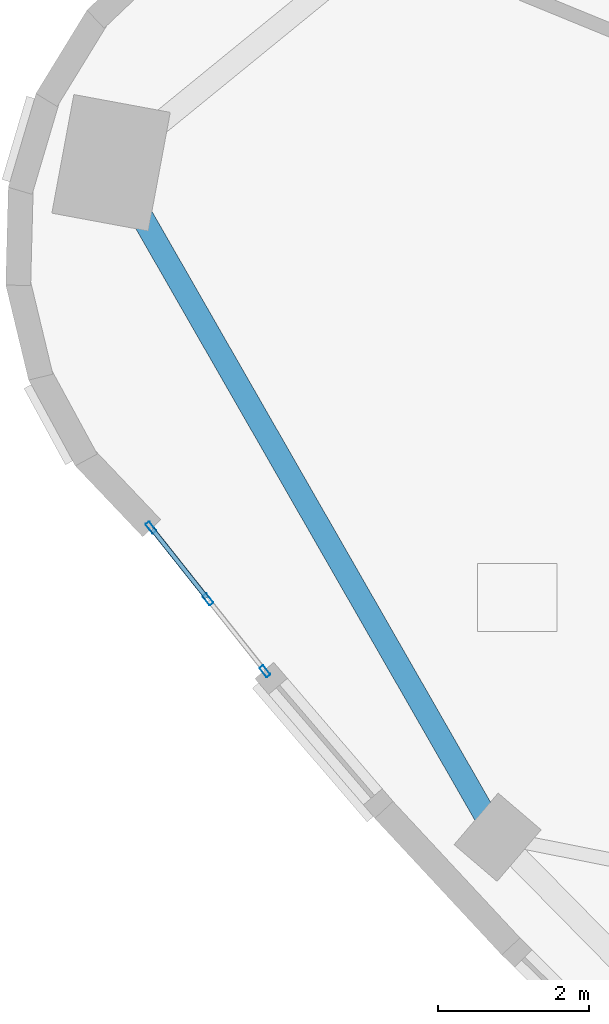
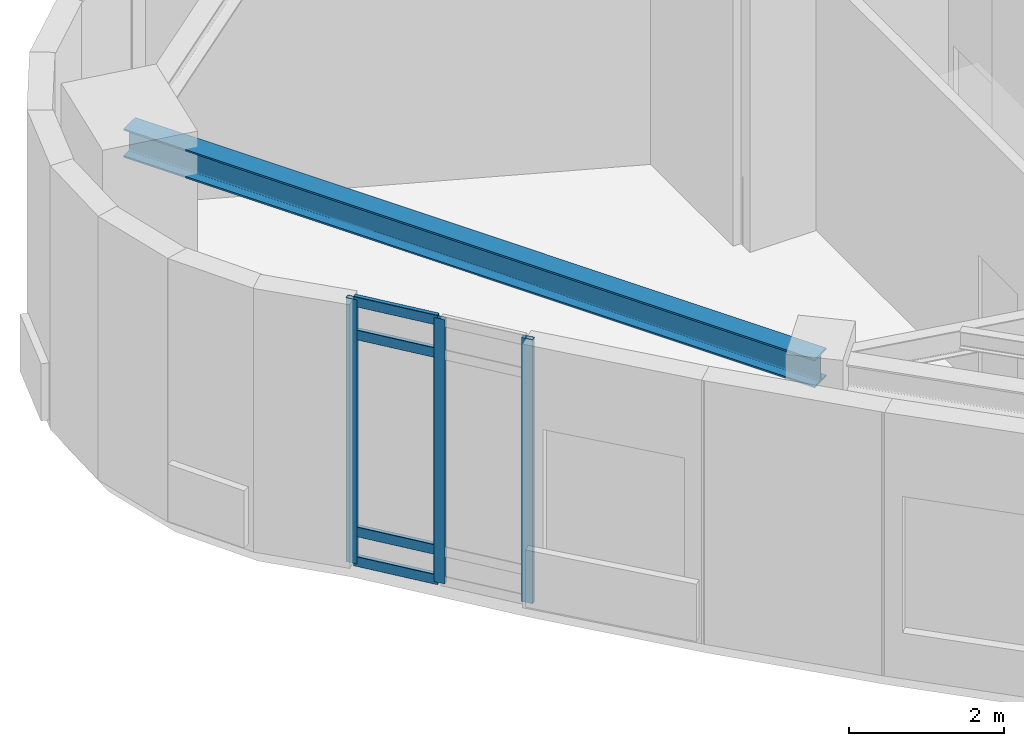
# One storey, part 4 of 13: 7 members, 1 beam, 1 element without a shape of its own.
"""IFC4 building model written with IfcOpenShell, lengths in metres."""

from ifc_helpers import new_model, si_unit, direction, frame, origin, origin_2d, place, context, subcontext, project, spatial, hollow_rectangle, i_section, extrude, material, layer, layer_set, material_profile, profile_set, type_object, element, aggregate, save


model = new_model("IFC4")

# Units and contexts
model_context = context("Model", 3, precision=1e-05, world=origin(), true_north=direction((0.0, 1.0)))
body_context = subcontext(model_context, "Body", "Model", "MODEL_VIEW")
ifc_project = project(units=[si_unit("LENGTHUNIT", "METRE"), si_unit("AREAUNIT", "SQUARE_METRE"), si_unit("VOLUMEUNIT", "CUBIC_METRE"), si_unit("PLANEANGLEUNIT", "RADIAN"), si_unit("MASSUNIT", "GRAM", prefix="KILO")], contexts=[model_context])

# Site, building, storey
site_placement = place(None, origin())
site = spatial("IfcSite", under=ifc_project, at=site_placement, CompositionType="ELEMENT")
building_placement = place(site_placement, origin())
building = spatial("IfcBuilding", under=site, at=building_placement, Name="Ndelora Gate Hotel", CompositionType="ELEMENT")
storey_placement = place(building_placement, frame((0.0, 0.0, 272.800048828125)))
storey = spatial("IfcBuildingStorey", under=building, at=storey_placement, Name="L68", CompositionType="ELEMENT", Elevation=272.800048828125)

# Beam
ifc_material_1 = material(Name="Steel S355", Category="steel")
ifc_material_profile_1 = material_profile(ifc_material_1, i_section(OverallWidth=0.300048828125, OverallDepth=0.449951171875, WebThickness=0.013916015625, FlangeThickness=0.02587890625, FilletRadius=0.027099609375, at=origin_2d()), Name="HEB 450")
ifc_profile_set_1 = profile_set([ifc_material_profile_1], Name="Steel S355")
beam_type = type_object("IfcBeamType", Name="BM-RING-450", PredefinedType="SPANDREL", material=ifc_profile_set_1)
beam_placement = place(storey_placement, frame((-19.949951171875, 3.697509765625, 3.925048828125), z_axis=(0.497255333538, -0.867604249222, 0.0), x_axis=(0.867604249222, 0.497255333538, 0.0)))
element("IfcBeam", 1, at=beam_placement, inside=storey, type_object=beam_type, Name="L68 Perimeter Spandrel Girder 1", PredefinedType="SPANDREL", context=body_context, shape_type="SweptSolid", body=[
    extrude(i_section(OverallWidth=0.300048828125, OverallDepth=0.449951171875, WebThickness=0.013916015625, FlangeThickness=0.02587890625, FilletRadius=0.027099609375, at=origin_2d()), origin(), (0.0, 0.0, 1.0), 10.3115234375),
])

# Curtain wall, members
ifc_material_2 = material(Name="Bronze Anodised Unitised Aluminium and Low-E Glass", Category="aluminium")
ifc_layer = layer(ifc_material_2, 0.219970703125)
ifc_layer_set = layer_set([ifc_layer], Name="Bronze Anodised Unitised Aluminium and Low-E Glass")
curtain_wall_type = type_object("IfcCurtainWallType", Name="CW-SYS-6", PredefinedType="NOTDEFINED", material=ifc_layer_set)
curtain_wall_placement = place(storey_placement, origin())
curtain_wall = element("IfcCurtainWall", 2, at=curtain_wall_placement, inside=storey, type_object=curtain_wall_type, Name="L68 Crown Sky-Restaurant & Cocktail Bar Curtain Wall 1", PredefinedType="NOTDEFINED")
ifc_material_3 = material(Name="Bronze Anodised Aluminium 6063-T6", Category="aluminium")
ifc_material_profile_2 = material_profile(ifc_material_3, hollow_rectangle(XDim=0.06494140625, YDim=0.159912109375, WallThickness=0.00390625, InnerFilletRadius=0.00390625, OuterFilletRadius=0.008056640625, at=origin_2d()), Name="ALU 160x65x4")
ifc_profile_set_2 = profile_set([ifc_material_profile_2], Name="Bronze Anodised Aluminium 6063-T6")
member_type_1 = type_object("IfcMemberType", Name="MB-CW-MUL150", PredefinedType="MULLION", material=ifc_profile_set_2)
member_1_placement = place(storey_placement, frame((-19.420166015625, -1.141357421875, -0.004150390625), z_axis=(0.0, 0.0, 1.0), x_axis=(0.783410250406, 0.621504931243, 0.0)))
member_1 = element("IfcMember", 3, at=member_1_placement, type_object=member_type_1, Name="CW6 mullion 1", PredefinedType="MULLION", context=body_context, shape_type="SweptSolid", body=[
    extrude(hollow_rectangle(XDim=0.06494140625, YDim=0.159912109375, WallThickness=0.00390625, InnerFilletRadius=0.00390625, OuterFilletRadius=0.008056640625, at=origin_2d()), origin(), (0.0, 0.0, 1.0), 4.158203125),
])
member_2_placement = place(storey_placement, frame((-18.66455078125, -2.093994140625, -0.004150390625), z_axis=(0.0, 0.0, 1.0), x_axis=(0.783410250406, 0.621504931243, 0.0)))
member_2 = element("IfcMember", 4, at=member_2_placement, type_object=member_type_1, Name="CW6 mullion 2", PredefinedType="MULLION", context=body_context, shape_type="SweptSolid", body=[
    extrude(hollow_rectangle(XDim=0.06494140625, YDim=0.159912109375, WallThickness=0.00390625, InnerFilletRadius=0.00390625, OuterFilletRadius=0.008056640625, at=origin_2d()), origin(), (0.0, 0.0, 1.0), 4.158203125),
])
member_3_placement = place(storey_placement, frame((-17.908935546875, -3.04638671875, -0.004150390625), z_axis=(0.0, 0.0, 1.0), x_axis=(0.783410250406, 0.621504931243, 0.0)))
member_3 = element("IfcMember", 5, at=member_3_placement, type_object=member_type_1, Name="CW6 mullion 3", PredefinedType="MULLION", context=body_context, shape_type="SweptSolid", body=[
    extrude(hollow_rectangle(XDim=0.06494140625, YDim=0.159912109375, WallThickness=0.00390625, InnerFilletRadius=0.00390625, OuterFilletRadius=0.008056640625, at=origin_2d()), origin(), (0.0, 0.0, 1.0), 4.158203125),
])
ifc_material_profile_3 = material_profile(ifc_material_3, hollow_rectangle(XDim=0.06494140625, YDim=0.159912109375, WallThickness=0.00390625, InnerFilletRadius=0.00390625, OuterFilletRadius=0.008056640625, at=origin_2d()), Name="ALU 160x65x4")
ifc_profile_set_3 = profile_set([ifc_material_profile_3], Name="Bronze Anodised Aluminium 6063-T6")
member_type_2 = type_object("IfcMemberType", Name="MB-CW-TRN150", PredefinedType="USERDEFINED", material=ifc_profile_set_3)
member_4_placement = place(storey_placement, frame((-19.403564453125, -1.162109375, 0.032470703125), z_axis=(0.6214124865, -0.783483580952, 0.0), x_axis=(0.783483580952, 0.6214124865, 0.0)))
member_4 = element("IfcMember", 6, at=member_4_placement, type_object=member_type_2, Name="CW6 transom 1.1", ObjectType="TRANSOM", PredefinedType="USERDEFINED", context=body_context, shape_type="SweptSolid", body=[
    extrude(hollow_rectangle(XDim=0.06494140625, YDim=0.159912109375, WallThickness=0.00390625, InnerFilletRadius=0.00390625, OuterFilletRadius=0.008056640625, at=origin_2d()), origin(), (0.0, 0.0, 1.0), 1.162841796875),
])
member_5_placement = place(storey_placement, frame((-19.403564453125, -1.162109375, 0.5), z_axis=(0.6214124865, -0.783483580952, 0.0), x_axis=(0.783483580952, 0.6214124865, 0.0)))
member_5 = element("IfcMember", 7, at=member_5_placement, type_object=member_type_2, Name="CW6 transom 1.2", ObjectType="TRANSOM", PredefinedType="USERDEFINED", context=body_context, shape_type="SweptSolid", body=[
    extrude(hollow_rectangle(XDim=0.06494140625, YDim=0.159912109375, WallThickness=0.00390625, InnerFilletRadius=0.00390625, OuterFilletRadius=0.008056640625, at=origin_2d()), origin(), (0.0, 0.0, 1.0), 1.162841796875),
])
member_6_placement = place(storey_placement, frame((-19.403564453125, -1.162109375, 3.599853515625), z_axis=(0.6214124865, -0.783483580952, 0.0), x_axis=(0.783483580952, 0.6214124865, 0.0)))
member_6 = element("IfcMember", 8, at=member_6_placement, type_object=member_type_2, Name="CW6 transom 1.3", ObjectType="TRANSOM", PredefinedType="USERDEFINED", context=body_context, shape_type="SweptSolid", body=[
    extrude(hollow_rectangle(XDim=0.06494140625, YDim=0.159912109375, WallThickness=0.00390625, InnerFilletRadius=0.00390625, OuterFilletRadius=0.008056640625, at=origin_2d()), origin(), (0.0, 0.0, 1.0), 1.162841796875),
])
member_7_placement = place(storey_placement, frame((-19.403564453125, -1.162109375, 4.117431640625), z_axis=(0.6214124865, -0.783483580952, 0.0), x_axis=(0.783483580952, 0.6214124865, 0.0)))
member_7 = element("IfcMember", 9, at=member_7_placement, type_object=member_type_2, Name="CW6 transom 1.4", ObjectType="TRANSOM", PredefinedType="USERDEFINED", context=body_context, shape_type="SweptSolid", body=[
    extrude(hollow_rectangle(XDim=0.06494140625, YDim=0.159912109375, WallThickness=0.00390625, InnerFilletRadius=0.00390625, OuterFilletRadius=0.008056640625, at=origin_2d()), origin(), (0.0, 0.0, 1.0), 1.162841796875),
])
aggregate(curtain_wall, [member_1, member_2, member_3, member_4, member_5, member_6, member_7])

save(model, "model.ifc")
